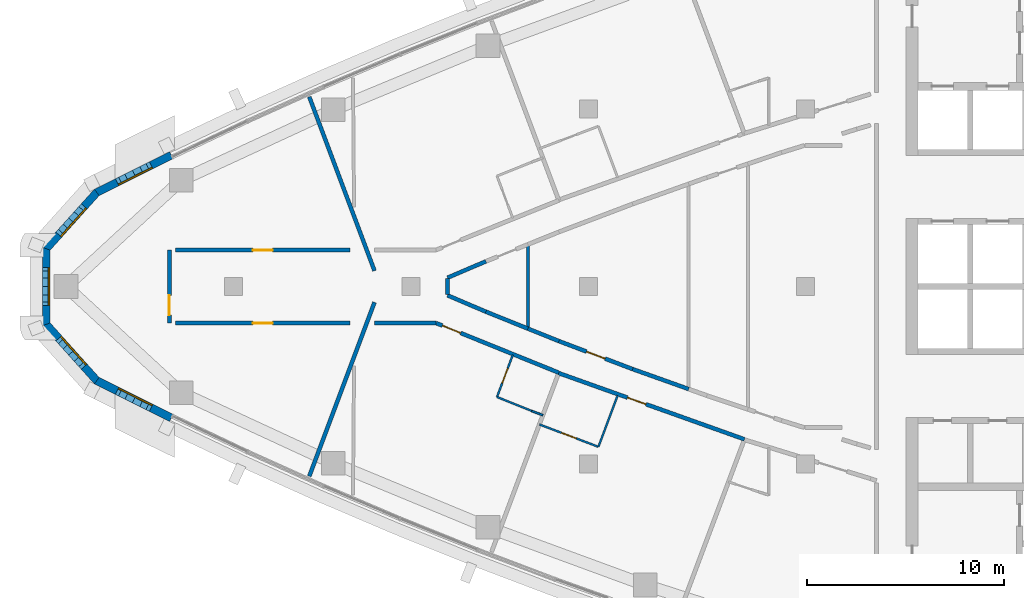
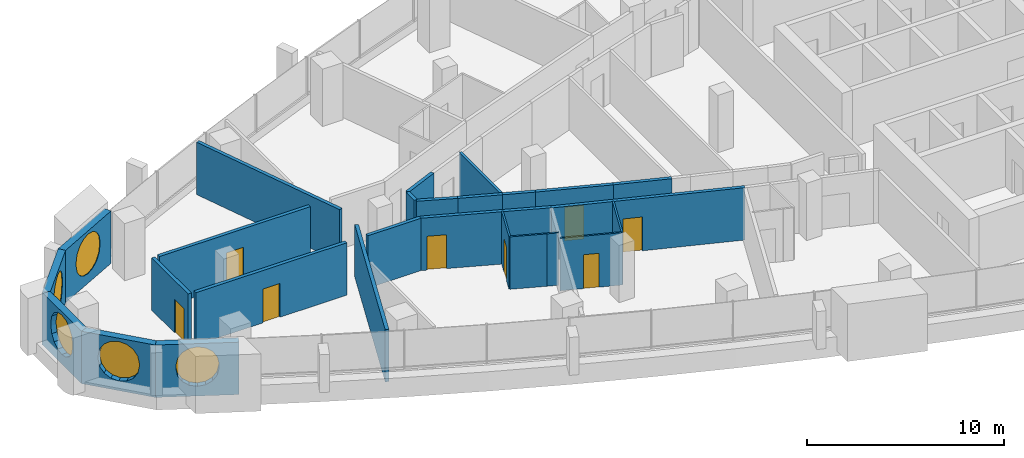
# One storey, part 8 of 15: 26 walls, 8 doors, 5 windows, 13 openings.
"""IFC4 building model written with IfcOpenShell, lengths in metres."""

from ifc_helpers import new_model, si_unit, direction, frame, frame_2d, origin, place, context, subcontext, project, spatial, polyline, rectangle, outline, extrude, material, layer, layer_set, type_object, element, fill, save


model = new_model("IFC4")

# Units and contexts
model_context = context("Model", 3, precision=1e-05, world=origin(), true_north=direction((0.0, 1.0)))
body_context = subcontext(model_context, "Body", "Model", "MODEL_VIEW")
ifc_project = project(units=[si_unit("LENGTHUNIT", "METRE"), si_unit("AREAUNIT", "SQUARE_METRE"), si_unit("VOLUMEUNIT", "CUBIC_METRE"), si_unit("PLANEANGLEUNIT", "RADIAN"), si_unit("MASSUNIT", "GRAM", prefix="KILO")], contexts=[model_context])

# Site, building, storey
site_placement = place(None, origin())
site = spatial("IfcSite", under=ifc_project, at=site_placement, CompositionType="ELEMENT")
building_placement = place(site_placement, origin())
building = spatial("IfcBuilding", under=site, at=building_placement, Name="Ostrand Prow Hotel Tower", CompositionType="ELEMENT")
storey_placement = place(building_placement, frame((0.0, 0.0, 235.0)))
storey = spatial("IfcBuildingStorey", under=building, at=storey_placement, Name="L59", CompositionType="ELEMENT", Elevation=235.0)

# Wall, opening, door
ifc_material_1 = material(Name="Plasterboard partition")
ifc_layer_1 = layer(ifc_material_1, 0.10009765625)
ifc_layer_set_1 = layer_set([ifc_layer_1], Name="Plasterboard partition")
wall_type_1 = type_object("IfcWallType", Name="Partition 100 bathroom wall", PredefinedType="PARTITIONING", material=ifc_layer_set_1)
wall_1_placement = place(storey_placement, frame((29.360107421875, -5.599853515625, 0.0), z_axis=(0.0, 0.0, 1.0), x_axis=(0.351158682313, 0.936315961541, 0.0)))
wall_1 = element("IfcWall", 1, at=wall_1_placement, inside=storey, type_object=wall_type_1, Name="BATHROOM WALL", PredefinedType="PARTITIONING", context=body_context, shape_type="SweptSolid", body=[
    extrude(rectangle(XDim=2.277587890625, YDim=0.10009765625, at=frame_2d((1.138671875, 0.0))), origin(), (0.0, 0.0, 1.0), 3.25),
])
opening_1_placement = place(wall_1_placement, frame((0.75, 0.0, 0.0)))
opening_1 = element("IfcOpeningElement", 2, at=opening_1_placement, cuts=wall_1, Name="Opening D2", PredefinedType="OPENING", context=body_context, shape_type="SweptSolid", body=[
    extrude(rectangle(XDim=0.800048828125, YDim=2.10009765625, at=frame_2d((0.39990234375, 1.050048828125))), frame((0.0, 0.06005859375, 0.0), z_axis=(0.0, -1.0, 0.0), x_axis=(1.0, 0.0, 0.0)), (0.0, 0.0, 1.0), 0.1201171875),
])
ifc_material_2 = material(Name="Timber door leaf", Category="wood")
door_type_1 = type_object("IfcDoorType", Name="Bathroom door 800", OperationType="SINGLE_SWING_LEFT", PredefinedType="DOOR", material=ifc_material_2)
door_1_placement = place(opening_1_placement, origin())
door_1 = element("IfcDoor", 3, at=door_1_placement, inside=storey, type_object=door_type_1, Name="DOOR", OperationType="SINGLE_SWING_LEFT", OverallHeight=2.10009765625, OverallWidth=0.800048828125, PredefinedType="DOOR", context=body_context, shape_type="SweptSolid", body=[
    extrude(rectangle(XDim=0.800048828125, YDim=2.10009765625, at=frame_2d((0.39990234375, 1.050048828125))), frame((0.0, 0.02490234375, 0.0), z_axis=(0.0, -1.0, 0.0), x_axis=(1.0, 0.0, 0.0)), (0.0, 0.0, 1.0), 0.050048828125),
])
fill(opening_1, door_1)

# Walls
wall_2_placement = place(storey_placement, frame((31.68408203125, -6.5224609375, 0.0), z_axis=(0.0, 0.0, 1.0), x_axis=(-0.935048188903, 0.354520640342, 0.0)))
element("IfcWall", 4, at=wall_2_placement, inside=storey, type_object=wall_type_1, Name="BATHROOM WALL", PredefinedType="PARTITIONING", context=body_context, shape_type="SweptSolid", body=[
    extrude(rectangle(XDim=0.60595703125, YDim=0.10009765625, at=frame_2d((0.302978515625, 0.0))), origin(), (0.0, 0.0, 1.0), 3.25),
])
wall_3_placement = place(storey_placement, frame((31.117431640625, -6.3076171875, 0.0), z_axis=(0.0, 0.0, 1.0), x_axis=(-0.927594225674, 0.373589283166, 0.0)))
element("IfcWall", 5, at=wall_3_placement, inside=storey, type_object=wall_type_1, Name="BATHROOM WALL", PredefinedType="PARTITIONING", context=body_context, shape_type="SweptSolid", body=[
    extrude(rectangle(XDim=1.89453125, YDim=0.10009765625, at=frame_2d((0.947265625, 0.0))), origin(), (0.0, 0.0, 1.0), 3.25),
])
wall_4_placement = place(storey_placement, frame((35.475341796875, -5.52587890625, 0.0), z_axis=(0.0, 0.0, 1.0), x_axis=(-0.351065630332, -0.936350854755, 0.0)))
element("IfcWall", 6, at=wall_4_placement, inside=storey, type_object=wall_type_1, Name="BATHROOM WALL", PredefinedType="PARTITIONING", context=body_context, shape_type="SweptSolid", body=[
    extrude(rectangle(XDim=2.77685546875, YDim=0.10009765625, at=frame_2d((1.388427734375, 0.0))), origin(), (0.0, 0.0, 1.0), 3.25),
])

# Wall, opening, door
wall_5_placement = place(storey_placement, frame((34.500244140625, -8.1259765625, 0.0), z_axis=(0.0, 0.0, 1.0), x_axis=(-0.934948661714, 0.354783032232, 0.0)))
wall_5 = element("IfcWall", 7, at=wall_5_placement, inside=storey, type_object=wall_type_1, Name="BATHROOM WALL", PredefinedType="PARTITIONING", context=body_context, shape_type="SweptSolid", body=[
    extrude(rectangle(XDim=3.199951171875, YDim=0.10009765625, at=frame_2d((1.60009765625, 0.0))), origin(), (0.0, 0.0, 1.0), 3.25),
])
opening_2_placement = place(wall_5_placement, frame((1.199951171875, 0.0, 0.0)))
opening_2 = element("IfcOpeningElement", 8, at=opening_2_placement, cuts=wall_5, Name="Opening D2", PredefinedType="OPENING", context=body_context, shape_type="SweptSolid", body=[
    extrude(rectangle(XDim=0.800048828125, YDim=2.10009765625, at=frame_2d((0.39990234375, 1.050048828125))), frame((0.0, 0.06005859375, 0.0), z_axis=(0.0, -1.0, 0.0), x_axis=(1.0, 0.0, 0.0)), (0.0, 0.0, 1.0), 0.1201171875),
])
door_2_placement = place(opening_2_placement, origin())
door_2 = element("IfcDoor", 9, at=door_2_placement, inside=storey, type_object=door_type_1, Name="DOOR", OperationType="SINGLE_SWING_LEFT", OverallHeight=2.10009765625, OverallWidth=0.800048828125, PredefinedType="DOOR", context=body_context, shape_type="SweptSolid", body=[
    extrude(rectangle(XDim=0.800048828125, YDim=2.10009765625, at=frame_2d((0.39990234375, 1.050048828125))), frame((0.0, 0.02490234375, 0.0), z_axis=(0.0, -1.0, 0.0), x_axis=(1.0, 0.0, 0.0)), (0.0, 0.0, 1.0), 0.050048828125),
])
fill(opening_2, door_2)

# Wall
ifc_material_3 = material(Name="Plasterboard partition")
ifc_layer_2 = layer(ifc_material_3, 0.14990234375)
ifc_layer_set_2 = layer_set([ifc_layer_2], Name="Plasterboard partition")
wall_type_2 = type_object("IfcWallType", Name="Partition 150 room partition", PredefinedType="PARTITIONING", material=ifc_layer_set_2)
wall_6_placement = place(storey_placement, frame((30.926025390625, -2.134033203125, 0.0), z_axis=(0.0, 0.0, 1.0), x_axis=(0.0, 1.0, 0.0)))
element("IfcWall", 10, at=wall_6_placement, inside=storey, type_object=wall_type_2, Name="ROOM PARTITION", PredefinedType="PARTITIONING", context=body_context, shape_type="SweptSolid", body=[
    extrude(rectangle(XDim=4.26806640625, YDim=0.14990234375, at=frame_2d((2.134033203125, 0.0))), origin(), (0.0, 0.0, 1.0), 3.25),
])

# Wall, opening, door
ifc_material_4 = material(Name="Plasterboard partition")
ifc_layer_3 = layer(ifc_material_4, 0.199951171875)
ifc_layer_set_3 = layer_set([ifc_layer_3], Name="Plasterboard partition")
wall_type_3 = type_object("IfcWallType", Name="Partition 200 corridor wall", PredefinedType="PARTITIONING", material=ifc_layer_set_3)
wall_7_placement = place(storey_placement, frame((13.051513671875, 1.85009765625, 0.0), z_axis=(0.0, 0.0, 1.0), x_axis=(1.0, 0.0, 0.0)))
wall_7 = element("IfcWall", 11, at=wall_7_placement, inside=storey, type_object=wall_type_3, Name="CORRIDOR WALL", PredefinedType="PARTITIONING", context=body_context, shape_type="SweptSolid", body=[
    extrude(rectangle(XDim=8.86083984375, YDim=0.199951171875, at=frame_2d((4.430419921875, 0.0))), origin(), (0.0, 0.0, 1.0), 3.25),
])
opening_3_placement = place(wall_7_placement, frame((3.930419921875, 0.0, 0.0)))
opening_3 = element("IfcOpeningElement", 12, at=opening_3_placement, cuts=wall_7, Name="Opening D1", PredefinedType="OPENING", context=body_context, shape_type="SweptSolid", body=[
    extrude(rectangle(XDim=1.0, YDim=2.10009765625, at=frame_2d((0.5, 1.050048828125))), frame((0.0, 0.10986328125, 0.0), z_axis=(0.0, -1.0, 0.0), x_axis=(1.0, 0.0, 0.0)), (0.0, 0.0, 1.0), 0.219970703125),
])
ifc_material_5 = material(Name="Timber door leaf", Category="wood")
door_type_2 = type_object("IfcDoorType", Name="Guest room door 1000", OperationType="SINGLE_SWING_LEFT", PredefinedType="DOOR", material=ifc_material_5)
door_3_placement = place(opening_3_placement, origin())
door_3 = element("IfcDoor", 13, at=door_3_placement, inside=storey, type_object=door_type_2, Name="DOOR", OperationType="SINGLE_SWING_LEFT", OverallHeight=2.10009765625, OverallWidth=1.0, PredefinedType="DOOR", context=body_context, shape_type="SweptSolid", body=[
    extrude(rectangle(XDim=1.0, YDim=2.10009765625, at=frame_2d((0.5, 1.050048828125))), frame((0.0, 0.02490234375, 0.0), z_axis=(0.0, -1.0, 0.0), x_axis=(1.0, 0.0, 0.0)), (0.0, 0.0, 1.0), 0.050048828125),
])
fill(opening_3, door_3)

wall_8_placement = place(storey_placement, frame((13.051513671875, -1.85009765625, 0.0), z_axis=(0.0, 0.0, 1.0), x_axis=(1.0, 0.0, 0.0)))
wall_8 = element("IfcWall", 14, at=wall_8_placement, inside=storey, type_object=wall_type_3, Name="CORRIDOR WALL", PredefinedType="PARTITIONING", context=body_context, shape_type="SweptSolid", body=[
    extrude(rectangle(XDim=8.86083984375, YDim=0.199951171875, at=frame_2d((4.430419921875, 0.0))), origin(), (0.0, 0.0, 1.0), 3.25),
])
opening_4_placement = place(wall_8_placement, frame((3.930419921875, 0.0, 0.0)))
opening_4 = element("IfcOpeningElement", 15, at=opening_4_placement, cuts=wall_8, Name="Opening D1R", PredefinedType="OPENING", context=body_context, shape_type="SweptSolid", body=[
    extrude(rectangle(XDim=1.0, YDim=2.10009765625, at=frame_2d((0.5, 1.050048828125))), frame((0.0, 0.10986328125, 0.0), z_axis=(0.0, -1.0, 0.0), x_axis=(1.0, 0.0, 0.0)), (0.0, 0.0, 1.0), 0.219970703125),
])
ifc_material_6 = material(Name="Timber door leaf", Category="wood")
door_type_3 = type_object("IfcDoorType", Name="Guest room door 1000 right", OperationType="SINGLE_SWING_RIGHT", PredefinedType="DOOR", material=ifc_material_6)
door_4_placement = place(opening_4_placement, origin())
door_4 = element("IfcDoor", 16, at=door_4_placement, inside=storey, type_object=door_type_3, Name="DOOR", OperationType="SINGLE_SWING_RIGHT", OverallHeight=2.10009765625, OverallWidth=1.0, PredefinedType="DOOR", context=body_context, shape_type="SweptSolid", body=[
    extrude(rectangle(XDim=1.0, YDim=2.10009765625, at=frame_2d((0.5, 1.050048828125))), frame((0.0, 0.02490234375, 0.0), z_axis=(0.0, -1.0, 0.0), x_axis=(1.0, 0.0, 0.0)), (0.0, 0.0, 1.0), 0.050048828125),
])
fill(opening_4, door_4)

wall_9_placement = place(storey_placement, frame((26.265869140625, -1.85009765625, 0.0), z_axis=(0.0, 0.0, 1.0), x_axis=(0.927007906702, -0.375041785555, 0.0)))
wall_9 = element("IfcWall", 17, at=wall_9_placement, inside=storey, type_object=wall_type_3, Name="CORRIDOR WALL", PredefinedType="PARTITIONING", context=body_context, shape_type="SweptSolid", body=[
    extrude(rectangle(XDim=6.716064453125, YDim=0.199951171875, at=frame_2d((3.35791015625, 0.0))), origin(), (0.0, 0.0, 1.0), 3.25),
])
opening_5_placement = place(wall_9_placement, frame((0.35009765625, 0.0, 0.0)))
opening_5 = element("IfcOpeningElement", 18, at=opening_5_placement, cuts=wall_9, Name="Opening D1", PredefinedType="OPENING", context=body_context, shape_type="SweptSolid", body=[
    extrude(rectangle(XDim=1.0, YDim=2.10009765625, at=frame_2d((0.5, 1.050048828125))), frame((0.0, 0.10986328125, 0.0), z_axis=(0.0, -1.0, 0.0), x_axis=(1.0, 0.0, 0.0)), (0.0, 0.0, 1.0), 0.219970703125),
])
door_5_placement = place(opening_5_placement, origin())
door_5 = element("IfcDoor", 19, at=door_5_placement, inside=storey, type_object=door_type_2, Name="DOOR", OperationType="SINGLE_SWING_LEFT", OverallHeight=2.10009765625, OverallWidth=1.0, PredefinedType="DOOR", context=body_context, shape_type="SweptSolid", body=[
    extrude(rectangle(XDim=1.0, YDim=2.10009765625, at=frame_2d((0.5, 1.050048828125))), frame((0.0, 0.02490234375, 0.0), z_axis=(0.0, -1.0, 0.0), x_axis=(1.0, 0.0, 0.0)), (0.0, 0.0, 1.0), 0.050048828125),
])
fill(opening_5, door_5)

wall_10_placement = place(storey_placement, frame((32.484619140625, -4.3876953125, 0.0), z_axis=(0.0, 0.0, 1.0), x_axis=(0.941953797829, -0.335742524498, 0.0)))
wall_10 = element("IfcWall", 20, at=wall_10_placement, inside=storey, type_object=wall_type_3, Name="CORRIDOR WALL", PredefinedType="PARTITIONING", context=body_context, shape_type="SweptSolid", body=[
    extrude(rectangle(XDim=10.00146484375, YDim=0.199951171875, at=frame_2d((5.000732421875, 0.0))), origin(), (0.0, 0.0, 1.0), 3.25),
])
opening_6_placement = place(wall_10_placement, frame((3.699951171875, 0.0, 0.0)))
opening_6 = element("IfcOpeningElement", 21, at=opening_6_placement, cuts=wall_10, Name="Opening D1", PredefinedType="OPENING", context=body_context, shape_type="SweptSolid", body=[
    extrude(rectangle(XDim=1.0, YDim=2.10009765625, at=frame_2d((0.5, 1.050048828125))), frame((0.0, 0.10986328125, 0.0), z_axis=(0.0, -1.0, 0.0), x_axis=(1.0, 0.0, 0.0)), (0.0, 0.0, 1.0), 0.219970703125),
])
door_6_placement = place(opening_6_placement, origin())
door_6 = element("IfcDoor", 22, at=door_6_placement, inside=storey, type_object=door_type_2, Name="DOOR", OperationType="SINGLE_SWING_LEFT", OverallHeight=2.10009765625, OverallWidth=1.0, PredefinedType="DOOR", context=body_context, shape_type="SweptSolid", body=[
    extrude(rectangle(XDim=1.0, YDim=2.10009765625, at=frame_2d((0.5, 1.050048828125))), frame((0.0, 0.02490234375, 0.0), z_axis=(0.0, -1.0, 0.0), x_axis=(1.0, 0.0, 0.0)), (0.0, 0.0, 1.0), 0.050048828125),
])
fill(opening_6, door_6)

# Walls
for number, where, z_axis, x_axis, name in (
    (23, (28.795654296875, -1.276123046875, 0.0), (0.0, 0.0, 1.0), (-0.91990756443, 0.392135273732, 0.0), "CORRIDOR WALL"),
    (24, (26.85009765625, 0.44677734375, 0.0), (0.0, 0.0, 1.0), (0.91990756443, 0.392135273732, 0.0), "CORRIDOR WALL"),
):
    element("IfcWall", number, at=place(storey_placement, frame(where, z_axis=z_axis, x_axis=x_axis)), inside=storey, type_object=wall_type_3, Name=name, PredefinedType="PARTITIONING", context=body_context, shape_type="SweptSolid", body=[
        extrude(rectangle(XDim=2.114990234375, YDim=0.199951171875, at=frame_2d((1.0576171875, 0.0))), origin(), (0.0, 0.0, 1.0), 3.25),
    ])
wall_11_placement = place(storey_placement, frame((30.926025390625, -2.134033203125, 0.0), z_axis=(0.0, 0.0, 1.0), x_axis=(-0.927609077038, 0.373552406224, 0.0)))
element("IfcWall", 25, at=wall_11_placement, inside=storey, type_object=wall_type_3, Name="CORRIDOR WALL", PredefinedType="PARTITIONING", context=body_context, shape_type="SweptSolid", body=[
    extrude(rectangle(XDim=2.296630859375, YDim=0.199951171875, at=frame_2d((1.1484375, 0.0))), origin(), (0.0, 0.0, 1.0), 3.25),
])

# Wall, opening, door
wall_12_placement = place(storey_placement, frame((36.236328125, -4.185546875, 0.0), z_axis=(0.0, 0.0, 1.0), x_axis=(-0.934950696546, 0.354777669856, 0.0)))
wall_12 = element("IfcWall", 26, at=wall_12_placement, inside=storey, type_object=wall_type_3, Name="CORRIDOR WALL", PredefinedType="PARTITIONING", context=body_context, shape_type="SweptSolid", body=[
    extrude(rectangle(XDim=3.99462890625, YDim=0.199951171875, at=frame_2d((1.997314453125, 0.0))), origin(), (0.0, 0.0, 1.0), 3.25),
])
opening_7_placement = place(wall_12_placement, frame((1.49755859375, 0.0, 0.0)))
opening_7 = element("IfcOpeningElement", 27, at=opening_7_placement, cuts=wall_12, Name="Opening D1", PredefinedType="OPENING", context=body_context, shape_type="SweptSolid", body=[
    extrude(rectangle(XDim=1.0, YDim=2.10009765625, at=frame_2d((0.5, 1.050048828125))), frame((0.0, 0.10986328125, 0.0), z_axis=(0.0, -1.0, 0.0), x_axis=(1.0, 0.0, 0.0)), (0.0, 0.0, 1.0), 0.219970703125),
])
door_7_placement = place(opening_7_placement, origin())
door_7 = element("IfcDoor", 28, at=door_7_placement, inside=storey, type_object=door_type_2, Name="DOOR", OperationType="SINGLE_SWING_LEFT", OverallHeight=2.10009765625, OverallWidth=1.0, PredefinedType="DOOR", context=body_context, shape_type="SweptSolid", body=[
    extrude(rectangle(XDim=1.0, YDim=2.10009765625, at=frame_2d((0.5, 1.050048828125))), frame((0.0, 0.02490234375, 0.0), z_axis=(0.0, -1.0, 0.0), x_axis=(1.0, 0.0, 0.0)), (0.0, 0.0, 1.0), 0.050048828125),
])
fill(opening_7, door_7)

# Walls
wall_13_placement = place(storey_placement, frame((39.078369140625, -5.198974609375, 0.0), z_axis=(0.0, 0.0, 1.0), x_axis=(-0.941908381697, 0.335869916023, 0.0)))
element("IfcWall", 29, at=wall_13_placement, inside=storey, type_object=wall_type_3, Name="CORRIDOR WALL", PredefinedType="PARTITIONING", context=body_context, shape_type="SweptSolid", body=[
    extrude(rectangle(XDim=3.017333984375, YDim=0.199951171875, at=frame_2d((1.5087890625, 0.0))), origin(), (0.0, 0.0, 1.0), 3.25),
])
wall_14_placement = place(storey_placement, frame((32.50146484375, -2.768310546875, 0.0), z_axis=(0.0, 0.0, 1.0), x_axis=(-0.927641577565, 0.373471690456, 0.0)))
element("IfcWall", 30, at=wall_14_placement, inside=storey, type_object=wall_type_3, Name="CORRIDOR WALL", PredefinedType="PARTITIONING", context=body_context, shape_type="SweptSolid", body=[
    extrude(rectangle(XDim=1.6982421875, YDim=0.199951171875, at=frame_2d((0.84912109375, 0.0))), origin(), (0.0, 0.0, 1.0), 3.25),
])
wall_15_placement = place(storey_placement, frame((26.85498046875, -0.406982421875, 0.0), z_axis=(0.0, 0.0, 1.0), x_axis=(0.0, 1.0, 0.0)))
element("IfcWall", 31, at=wall_15_placement, inside=storey, type_object=wall_type_3, Name="CORRIDOR WALL", PredefinedType="PARTITIONING", context=body_context, shape_type="SweptSolid", body=[
    extrude(rectangle(XDim=0.81396484375, YDim=0.199951171875, at=frame_2d((0.406982421875, 0.0))), origin(), (0.0, 0.0, 1.0), 3.25),
])
wall_16_placement = place(storey_placement, frame((23.148193359375, -1.8544921875, 0.0), z_axis=(0.0, 0.0, 1.0), x_axis=(0.999999006581, 0.001409552241, 0.0)))
element("IfcWall", 32, at=wall_16_placement, inside=storey, type_object=wall_type_3, Name="CORRIDOR WALL", PredefinedType="PARTITIONING", context=body_context, shape_type="SweptSolid", body=[
    extrude(rectangle(XDim=3.11767578125, YDim=0.199951171875, at=frame_2d((1.558837890625, 0.0))), origin(), (0.0, 0.0, 1.0), 3.25),
])
ifc_material_7 = material(Name="Plasterboard partition")
ifc_layer_4 = layer(ifc_material_7, 0.199951171875)
ifc_layer_set_4 = layer_set([ifc_layer_4], Name="Plasterboard partition")
wall_type_4 = type_object("IfcWallType", Name="Partition 200 key partition", PredefinedType="PARTITIONING", material=ifc_layer_set_4)
for number, where, z_axis, x_axis, name in (
    (33, (23.14990234375, 0.800048828125, 0.0), (0.0, 0.0, 1.0), (-0.351123441588, 0.936329177569, 0.0), "KEY PARTITION"),
    (34, (19.84375, -9.616455078125, 0.0), (0.0, 0.0, 1.0), (0.351123441588, 0.936329177569, 0.0), "KEY PARTITION"),
):
    element("IfcWall", number, at=place(storey_placement, frame(where, z_axis=z_axis, x_axis=x_axis)), inside=storey, type_object=wall_type_4, Name=name, PredefinedType="PARTITIONING", context=body_context, shape_type="SweptSolid", body=[
        extrude(rectangle(XDim=9.416015625, YDim=0.199951171875, at=frame_2d((4.7080078125, 0.0))), origin(), (0.0, 0.0, 1.0), 3.25),
    ])

# Wall, opening, door
ifc_material_8 = material(Name="Plasterboard partition")
ifc_layer_5 = layer(ifc_material_8, 0.199951171875)
ifc_layer_set_5 = layer_set([ifc_layer_5], Name="Plasterboard partition")
wall_type_5 = type_object("IfcWallType", Name="Partition 200 lounge wall", PredefinedType="PARTITIONING", material=ifc_layer_set_5)
wall_17_placement = place(storey_placement, frame((12.75146484375, -1.85009765625, 0.0), z_axis=(0.0, 0.0, 1.0), x_axis=(0.0, 1.0, 0.0)))
wall_17 = element("IfcWall", 35, at=wall_17_placement, inside=storey, type_object=wall_type_5, Name="LOUNGE WALL", PredefinedType="PARTITIONING", context=body_context, shape_type="SweptSolid", body=[
    extrude(rectangle(XDim=3.7001953125, YDim=0.199951171875, at=frame_2d((1.85009765625, 0.0))), origin(), (0.0, 0.0, 1.0), 3.25),
])
opening_8_placement = place(wall_17_placement, frame((0.39990234375, 0.0, 0.0)))
opening_8 = element("IfcOpeningElement", 36, at=opening_8_placement, cuts=wall_17, Name="Opening D1", PredefinedType="OPENING", context=body_context, shape_type="SweptSolid", body=[
    extrude(rectangle(XDim=1.0, YDim=2.10009765625, at=frame_2d((0.5, 1.050048828125))), frame((0.0, 0.10986328125, 0.0), z_axis=(0.0, -1.0, 0.0), x_axis=(1.0, 0.0, 0.0)), (0.0, 0.0, 1.0), 0.219970703125),
])
door_8_placement = place(opening_8_placement, origin())
door_8 = element("IfcDoor", 37, at=door_8_placement, inside=storey, type_object=door_type_2, Name="DOOR", OperationType="SINGLE_SWING_LEFT", OverallHeight=2.10009765625, OverallWidth=1.0, PredefinedType="DOOR", context=body_context, shape_type="SweptSolid", body=[
    extrude(rectangle(XDim=1.0, YDim=2.10009765625, at=frame_2d((0.5, 1.050048828125))), frame((0.0, 0.02490234375, 0.0), z_axis=(0.0, -1.0, 0.0), x_axis=(1.0, 0.0, 0.0)), (0.0, 0.0, 1.0), 0.050048828125),
])
fill(opening_8, door_8)

# Wall, opening, window
ifc_material_9 = material(Name="Precast concrete C40/50", Category="concrete")
ifc_layer_6 = layer(ifc_material_9, 0.39990234375)
ifc_layer_set_6 = layer_set([ifc_layer_6], Name="Precast concrete C40/50")
wall_type_6 = type_object("IfcWallType", Name="Stone-faced precast wall 400 mm", PredefinedType="NOTDEFINED", material=ifc_layer_set_6)
wall_18_placement = place(storey_placement, frame((12.849365234375, 6.66064453125, 0.0), z_axis=(0.0, 0.0, 1.0), x_axis=(-0.894554263274, -0.446959360634, 0.0)))
wall_18 = element("IfcWall", 38, at=wall_18_placement, inside=storey, type_object=wall_type_6, Name="Stone-faced wall prow 1", PredefinedType="NOTDEFINED", context=body_context, shape_type="SweptSolid", body=[
    extrude(outline(polyline([(0.0, -0.199951171875), (4.263671875, -0.199951171875), (4.1875, 0.199951171875), (0.0, 0.199951171875), (0.0, -0.199951171875)])), origin(), (0.0, 0.0, 1.0), 3.25),
])
opening_9_placement = place(wall_18_placement, frame((1.012939453125, 0.0, 0.60009765625)))
opening_9 = element("IfcOpeningElement", 39, at=opening_9_placement, cuts=wall_18, Name="Opening WP1", PredefinedType="OPENING", context=body_context, shape_type="SweptSolid", body=[
    extrude(outline(polyline([(0.0, 1.35009765625), (0.083740234375, 1.77099609375), (0.322265625, 2.127685546875), (0.678955078125, 2.3662109375), (1.10009765625, 2.449951171875), (1.52099609375, 2.3662109375), (1.877685546875, 2.127685546875), (2.1162109375, 1.77099609375), (2.199951171875, 1.35009765625), (2.199951171875, 1.10009765625), (2.1162109375, 0.678955078125), (1.877685546875, 0.322265625), (1.52099609375, 0.083740234375), (1.10009765625, 0.0), (0.678955078125, 0.083740234375), (0.322265625, 0.322265625), (0.083740234375, 0.678955078125), (0.0, 1.099853515625), (0.0, 1.35009765625)])), frame((0.0, 0.2099609375, 0.0), z_axis=(0.0, -1.0, 0.0), x_axis=(1.0, 0.0, 0.0)), (0.0, 0.0, 1.0), 0.419921875),
])
ifc_material_10 = material(Name="Insulated glass in bronze frame", Category="glass")
window_type = type_object("IfcWindowType", Name="Round-ended prow window 2200x2450", PartitioningType="SINGLE_PANEL", PredefinedType="WINDOW", material=ifc_material_10)
window_1_placement = place(opening_9_placement, origin())
window_1 = element("IfcWindow", 40, at=window_1_placement, inside=storey, type_object=window_type, Name="Window prow 1.1", OverallHeight=2.449951171875, OverallWidth=2.199951171875, PartitioningType="SINGLE_PANEL", PredefinedType="WINDOW", context=body_context, shape_type="SweptSolid", body=[
    extrude(outline(polyline([(0.0, 1.35009765625), (0.083740234375, 1.77099609375), (0.322265625, 2.127685546875), (0.678955078125, 2.3662109375), (1.10009765625, 2.449951171875), (1.52099609375, 2.3662109375), (1.877685546875, 2.127685546875), (2.1162109375, 1.77099609375), (2.199951171875, 1.35009765625), (2.199951171875, 1.10009765625), (2.1162109375, 0.678955078125), (1.877685546875, 0.322265625), (1.52099609375, 0.083740234375), (1.10009765625, 0.0), (0.678955078125, 0.083740234375), (0.322265625, 0.322265625), (0.083740234375, 0.678955078125), (0.0, 1.099853515625), (0.0, 1.35009765625)])), frame((0.0, 0.169921875, 0.0), z_axis=(0.0, -1.0, 0.0), x_axis=(1.0, 0.0, 0.0)), (0.0, 0.0, 1.0), 0.06005859375),
])
fill(opening_9, window_1)

wall_19_placement = place(storey_placement, frame((9.0693359375, 4.77197265625, 0.0), z_axis=(0.0, 0.0, 1.0), x_axis=(-0.668018215058, -0.744144921605, 0.0)))
wall_19 = element("IfcWall", 41, at=wall_19_placement, inside=storey, type_object=wall_type_6, Name="Stone-faced wall prow 2", PredefinedType="NOTDEFINED", context=body_context, shape_type="SweptSolid", body=[
    extrude(outline(polyline([(-0.0380859375, -0.199951171875), (3.912353515625, -0.199951171875), (3.759033203125, 0.199951171875), (0.0380859375, 0.199951171875), (-0.0380859375, -0.199951171875)])), origin(), (0.0, 0.0, 1.0), 3.25),
])
opening_10_placement = place(wall_19_placement, frame((0.81787109375, 0.0, 0.60009765625)))
opening_10 = element("IfcOpeningElement", 42, at=opening_10_placement, cuts=wall_19, Name="Opening WP1", PredefinedType="OPENING", context=body_context, shape_type="SweptSolid", body=[
    extrude(outline(polyline([(0.0, 1.35009765625), (0.083740234375, 1.77099609375), (0.322265625, 2.127685546875), (0.678955078125, 2.3662109375), (1.10009765625, 2.449951171875), (1.52099609375, 2.3662109375), (1.877685546875, 2.127685546875), (2.1162109375, 1.77099609375), (2.199951171875, 1.35009765625), (2.199951171875, 1.10009765625), (2.1162109375, 0.678955078125), (1.877685546875, 0.322265625), (1.52099609375, 0.083740234375), (1.10009765625, 0.0), (0.678955078125, 0.083740234375), (0.322265625, 0.322265625), (0.083740234375, 0.678955078125), (0.0, 1.099853515625), (0.0, 1.35009765625)])), frame((0.0, 0.2099609375, 0.0), z_axis=(0.0, -1.0, 0.0), x_axis=(1.0, 0.0, 0.0)), (0.0, 0.0, 1.0), 0.419921875),
])
window_2_placement = place(opening_10_placement, origin())
window_2 = element("IfcWindow", 43, at=window_2_placement, inside=storey, type_object=window_type, Name="Window prow 2.1", OverallHeight=2.449951171875, OverallWidth=2.199951171875, PartitioningType="SINGLE_PANEL", PredefinedType="WINDOW", context=body_context, shape_type="SweptSolid", body=[
    extrude(outline(polyline([(0.0, 1.35009765625), (0.083740234375, 1.77099609375), (0.322265625, 2.127685546875), (0.678955078125, 2.3662109375), (1.10009765625, 2.449951171875), (1.52099609375, 2.3662109375), (1.877685546875, 2.127685546875), (2.1162109375, 1.77099609375), (2.199951171875, 1.35009765625), (2.199951171875, 1.10009765625), (2.1162109375, 0.678955078125), (1.877685546875, 0.322265625), (1.52099609375, 0.083740234375), (1.10009765625, 0.0), (0.678955078125, 0.083740234375), (0.322265625, 0.322265625), (0.083740234375, 0.678955078125), (0.0, 1.099853515625), (0.0, 1.35009765625)])), frame((0.0, 0.169921875, 0.0), z_axis=(0.0, -1.0, 0.0), x_axis=(1.0, 0.0, 0.0)), (0.0, 0.0, 1.0), 0.06005859375),
])
fill(opening_10, window_2)

wall_20_placement = place(storey_placement, frame((6.507080078125, 1.917724609375, 0.0), z_axis=(0.0, 0.0, 1.0), x_axis=(0.0, -1.0, 0.0)))
wall_20 = element("IfcWall", 44, at=wall_20_placement, inside=storey, type_object=wall_type_6, Name="Stone-faced wall prow 3", PredefinedType="NOTDEFINED", context=body_context, shape_type="SweptSolid", body=[
    extrude(outline(polyline([(-0.07666015625, -0.199951171875), (3.912109375, -0.199951171875), (3.7587890625, 0.199951171875), (0.07666015625, 0.199951171875), (-0.07666015625, -0.199951171875)])), origin(), (0.0, 0.0, 1.0), 3.25),
])
opening_11_placement = place(wall_20_placement, frame((0.81787109375, 0.0, 0.60009765625)))
opening_11 = element("IfcOpeningElement", 45, at=opening_11_placement, cuts=wall_20, Name="Opening WP1", PredefinedType="OPENING", context=body_context, shape_type="SweptSolid", body=[
    extrude(outline(polyline([(0.0, 1.35009765625), (0.083740234375, 1.77099609375), (0.322265625, 2.127685546875), (0.678955078125, 2.3662109375), (1.10009765625, 2.449951171875), (1.52099609375, 2.3662109375), (1.877685546875, 2.127685546875), (2.1162109375, 1.77099609375), (2.199951171875, 1.35009765625), (2.199951171875, 1.10009765625), (2.1162109375, 0.678955078125), (1.877685546875, 0.322265625), (1.52099609375, 0.083740234375), (1.10009765625, 0.0), (0.678955078125, 0.083740234375), (0.322265625, 0.322265625), (0.083740234375, 0.678955078125), (0.0, 1.099853515625), (0.0, 1.35009765625)])), frame((0.0, 0.2099609375, 0.0), z_axis=(0.0, -1.0, 0.0), x_axis=(1.0, 0.0, 0.0)), (0.0, 0.0, 1.0), 0.419921875),
])
window_3_placement = place(opening_11_placement, origin())
window_3 = element("IfcWindow", 46, at=window_3_placement, inside=storey, type_object=window_type, Name="Window prow 3.1", OverallHeight=2.449951171875, OverallWidth=2.199951171875, PartitioningType="SINGLE_PANEL", PredefinedType="WINDOW", context=body_context, shape_type="SweptSolid", body=[
    extrude(outline(polyline([(0.0, 1.35009765625), (0.083740234375, 1.77099609375), (0.322265625, 2.127685546875), (0.678955078125, 2.3662109375), (1.10009765625, 2.449951171875), (1.52099609375, 2.3662109375), (1.877685546875, 2.127685546875), (2.1162109375, 1.77099609375), (2.199951171875, 1.35009765625), (2.199951171875, 1.10009765625), (2.1162109375, 0.678955078125), (1.877685546875, 0.322265625), (1.52099609375, 0.083740234375), (1.10009765625, 0.0), (0.678955078125, 0.083740234375), (0.322265625, 0.322265625), (0.083740234375, 0.678955078125), (0.0, 1.099853515625), (0.0, 1.35009765625)])), frame((0.0, 0.169921875, 0.0), z_axis=(0.0, -1.0, 0.0), x_axis=(1.0, 0.0, 0.0)), (0.0, 0.0, 1.0), 0.06005859375),
])
fill(opening_11, window_3)

wall_21_placement = place(storey_placement, frame((6.507080078125, -1.917724609375, 0.0), z_axis=(0.0, 0.0, 1.0), x_axis=(0.668018215058, -0.744144921605, 0.0)))
wall_21 = element("IfcWall", 47, at=wall_21_placement, inside=storey, type_object=wall_type_6, Name="Stone-faced wall prow 4", PredefinedType="NOTDEFINED", context=body_context, shape_type="SweptSolid", body=[
    extrude(outline(polyline([(-0.07666015625, -0.199951171875), (3.873779296875, -0.199951171875), (3.797607421875, 0.199951171875), (0.07666015625, 0.199951171875), (-0.07666015625, -0.199951171875)])), origin(), (0.0, 0.0, 1.0), 3.25),
])
opening_12_placement = place(wall_21_placement, frame((0.81787109375, 0.0, 0.60009765625)))
opening_12 = element("IfcOpeningElement", 48, at=opening_12_placement, cuts=wall_21, Name="Opening WP1", PredefinedType="OPENING", context=body_context, shape_type="SweptSolid", body=[
    extrude(outline(polyline([(0.0, 1.35009765625), (0.083740234375, 1.77099609375), (0.322265625, 2.127685546875), (0.678955078125, 2.3662109375), (1.10009765625, 2.449951171875), (1.52099609375, 2.3662109375), (1.877685546875, 2.127685546875), (2.1162109375, 1.77099609375), (2.199951171875, 1.35009765625), (2.199951171875, 1.10009765625), (2.1162109375, 0.678955078125), (1.877685546875, 0.322265625), (1.52099609375, 0.083740234375), (1.10009765625, 0.0), (0.678955078125, 0.083740234375), (0.322265625, 0.322265625), (0.083740234375, 0.678955078125), (0.0, 1.099853515625), (0.0, 1.35009765625)])), frame((0.0, 0.2099609375, 0.0), z_axis=(0.0, -1.0, 0.0), x_axis=(1.0, 0.0, 0.0)), (0.0, 0.0, 1.0), 0.419921875),
])
window_4_placement = place(opening_12_placement, origin())
window_4 = element("IfcWindow", 49, at=window_4_placement, inside=storey, type_object=window_type, Name="Window prow 4.1", OverallHeight=2.449951171875, OverallWidth=2.199951171875, PartitioningType="SINGLE_PANEL", PredefinedType="WINDOW", context=body_context, shape_type="SweptSolid", body=[
    extrude(outline(polyline([(0.0, 1.35009765625), (0.083740234375, 1.77099609375), (0.322265625, 2.127685546875), (0.678955078125, 2.3662109375), (1.10009765625, 2.449951171875), (1.52099609375, 2.3662109375), (1.877685546875, 2.127685546875), (2.1162109375, 1.77099609375), (2.199951171875, 1.35009765625), (2.199951171875, 1.10009765625), (2.1162109375, 0.678955078125), (1.877685546875, 0.322265625), (1.52099609375, 0.083740234375), (1.10009765625, 0.0), (0.678955078125, 0.083740234375), (0.322265625, 0.322265625), (0.083740234375, 0.678955078125), (0.0, 1.099853515625), (0.0, 1.35009765625)])), frame((0.0, 0.169921875, 0.0), z_axis=(0.0, -1.0, 0.0), x_axis=(1.0, 0.0, 0.0)), (0.0, 0.0, 1.0), 0.06005859375),
])
fill(opening_12, window_4)

wall_22_placement = place(storey_placement, frame((9.0693359375, -4.77197265625, 0.0), z_axis=(0.0, 0.0, 1.0), x_axis=(0.894554263274, -0.446959360634, 0.0)))
wall_22 = element("IfcWall", 50, at=wall_22_placement, inside=storey, type_object=wall_type_6, Name="Stone-faced wall prow 5", PredefinedType="NOTDEFINED", context=body_context, shape_type="SweptSolid", body=[
    extrude(outline(polyline([(-0.0380859375, -0.199951171875), (4.2255859375, -0.199951171875), (4.2255859375, 0.199951171875), (0.0380859375, 0.199951171875), (-0.0380859375, -0.199951171875)])), origin(), (0.0, 0.0, 1.0), 3.25),
])
opening_13_placement = place(wall_22_placement, frame((1.012939453125, 0.0, 0.60009765625)))
opening_13 = element("IfcOpeningElement", 51, at=opening_13_placement, cuts=wall_22, Name="Opening WP1", PredefinedType="OPENING", context=body_context, shape_type="SweptSolid", body=[
    extrude(outline(polyline([(0.0, 1.35009765625), (0.083740234375, 1.77099609375), (0.322265625, 2.127685546875), (0.678955078125, 2.3662109375), (1.10009765625, 2.449951171875), (1.52099609375, 2.3662109375), (1.877685546875, 2.127685546875), (2.1162109375, 1.77099609375), (2.199951171875, 1.35009765625), (2.199951171875, 1.10009765625), (2.1162109375, 0.678955078125), (1.877685546875, 0.322265625), (1.52099609375, 0.083740234375), (1.10009765625, 0.0), (0.678955078125, 0.083740234375), (0.322265625, 0.322265625), (0.083740234375, 0.678955078125), (0.0, 1.099853515625), (0.0, 1.35009765625)])), frame((0.0, 0.2099609375, 0.0), z_axis=(0.0, -1.0, 0.0), x_axis=(1.0, 0.0, 0.0)), (0.0, 0.0, 1.0), 0.419921875),
])
window_5_placement = place(opening_13_placement, origin())
window_5 = element("IfcWindow", 52, at=window_5_placement, inside=storey, type_object=window_type, Name="Window prow 5.1", OverallHeight=2.449951171875, OverallWidth=2.199951171875, PartitioningType="SINGLE_PANEL", PredefinedType="WINDOW", context=body_context, shape_type="SweptSolid", body=[
    extrude(outline(polyline([(0.0, 1.35009765625), (0.083740234375, 1.77099609375), (0.322265625, 2.127685546875), (0.678955078125, 2.3662109375), (1.10009765625, 2.449951171875), (1.52099609375, 2.3662109375), (1.877685546875, 2.127685546875), (2.1162109375, 1.77099609375), (2.199951171875, 1.35009765625), (2.199951171875, 1.10009765625), (2.1162109375, 0.678955078125), (1.877685546875, 0.322265625), (1.52099609375, 0.083740234375), (1.10009765625, 0.0), (0.678955078125, 0.083740234375), (0.322265625, 0.322265625), (0.083740234375, 0.678955078125), (0.0, 1.099853515625), (0.0, 1.35009765625)])), frame((0.0, 0.169921875, 0.0), z_axis=(0.0, -1.0, 0.0), x_axis=(1.0, 0.0, 0.0)), (0.0, 0.0, 1.0), 0.06005859375),
])
fill(opening_13, window_5)

save(model, "model.ifc")
